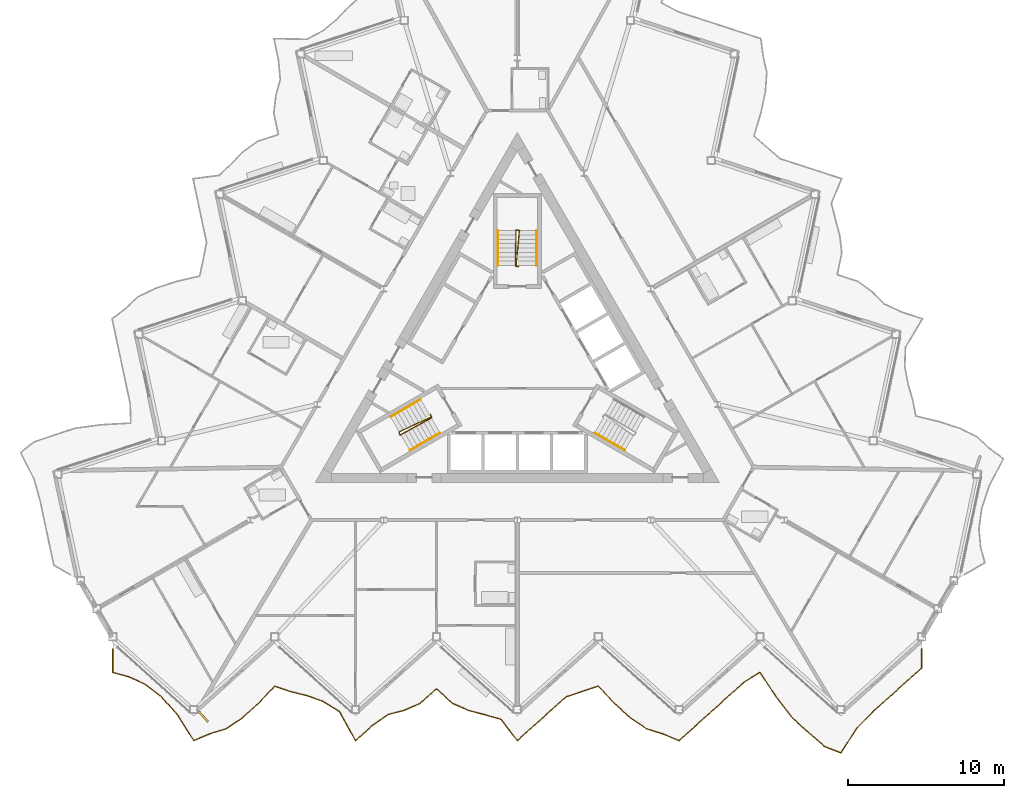
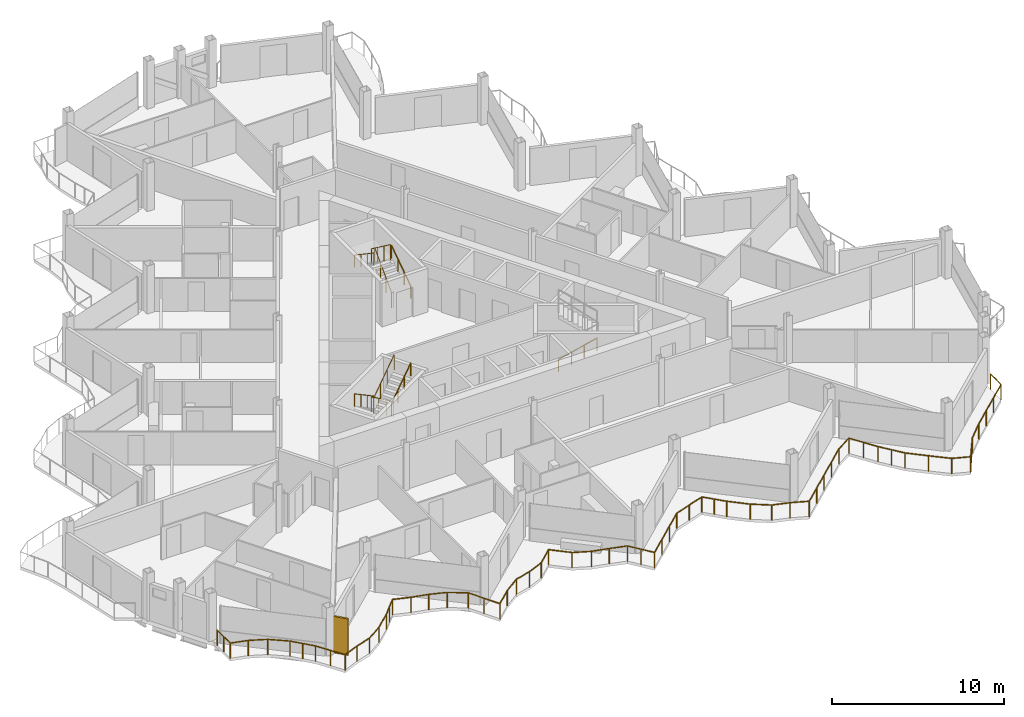
# One storey, part 22 of 26: 8 railings, 1 shading device.
"""IFC4 building model written with IfcOpenShell, lengths in metres."""

from ifc_helpers import new_model, si_unit, direction, frame, origin, origin_2d, place, context, subcontext, project, spatial, rectangle, circle, extrude, material, layer, layer_set, type_object, element, save


model = new_model("IFC4")

# Units and contexts
model_context = context("Model", 3, precision=1e-05, world=origin(), true_north=direction((0.0, 1.0)))
body_context = subcontext(model_context, "Body", "Model", "MODEL_VIEW")
ifc_project = project(units=[si_unit("LENGTHUNIT", "METRE"), si_unit("AREAUNIT", "SQUARE_METRE"), si_unit("VOLUMEUNIT", "CUBIC_METRE"), si_unit("PLANEANGLEUNIT", "RADIAN"), si_unit("MASSUNIT", "GRAM", prefix="KILO")], contexts=[model_context])

# Site, building, storey
site_placement = place(None, origin())
site = spatial("IfcSite", under=ifc_project, at=site_placement, CompositionType="ELEMENT")
building_placement = place(site_placement, origin())
building = spatial("IfcBuilding", under=site, at=building_placement, Name="Cormorant Prow Tower", CompositionType="ELEMENT")
storey_placement = place(building_placement, frame((0.0, 0.0, 381.39990234375)))
storey = spatial("IfcBuildingStorey", under=building, at=storey_placement, Name="L86", CompositionType="ELEMENT", Elevation=381.39990234375)

# Railings
ifc_material_1 = material(Name="Aluminium 6063-T6", Category="aluminium")
railing_type_1 = type_object("IfcRailingType", Name="Balcony guard 1100", PredefinedType="GUARDRAIL", material=ifc_material_1)
railing_1_placement = place(storey_placement, frame((-26.0, -18.189697265625, 0.0)))
element("IfcRailing", 1, at=railing_1_placement, inside=storey, type_object=railing_type_1, Name="Balcony guard S", PredefinedType="GUARDRAIL", context=body_context, shape_type="SweptSolid", body=[
    extrude(circle(Radius=0.02392578125, at=origin_2d()), frame((0.0, 0.0, 1.076171875), z_axis=(0.0, -1.0, 0.0), x_axis=(1.0, 0.0, 0.0)), (0.0, 0.0, 1.0), 1.52001953125),
    extrude(circle(Radius=0.02392578125, at=origin_2d()), frame((0.0, -1.52001953125, 1.076171875), z_axis=(0.964810844269, -0.262944927276, 0.0), x_axis=(0.262944927276, 0.964810844269, 0.0)), (0.0, 0.0, 1.0), 1.077880859375),
    extrude(circle(Radius=0.02392578125, at=origin_2d()), frame((1.0400390625, -1.803466796875, 1.076171875), z_axis=(0.909347595686, -0.41603719812, 0.0), x_axis=(0.41603719812, 0.909347595686, 0.0)), (0.0, 0.0, 1.0), 1.143798828125),
    extrude(circle(Radius=0.02392578125, at=origin_2d()), frame((2.080078125, -2.279296875, 1.076171875), z_axis=(0.791268661421, -0.611468646337, 0.0), x_axis=(0.611468646337, 0.791268661421, 0.0)), (0.0, 0.0, 1.0), 1.314453125),
    extrude(circle(Radius=0.02392578125, at=origin_2d()), frame((3.1201171875, -3.0830078125, 1.076171875), z_axis=(0.6640831276, -0.747658745443, 0.0), x_axis=(0.747658745443, 0.6640831276, 0.0)), (0.0, 0.0, 1.0), 1.565673828125),
    extrude(circle(Radius=0.02392578125, at=origin_2d()), frame((4.159912109375, -4.253662109375, 1.076171875), z_axis=(0.533597069462, -0.845738829345, 0.0), x_axis=(0.845738829345, 0.533597069462, 0.0)), (0.0, 0.0, 1.0), 1.94921875),
    extrude(circle(Radius=0.02392578125, at=origin_2d()), frame((5.199951171875, -5.902099609375, 1.076171875), z_axis=(0.920214237524, 0.391415070045, 0.0), x_axis=(-0.391415070045, 0.920214237524, 0.0)), (0.0, 0.0, 1.0), 1.130126953125),
    extrude(circle(Radius=0.02392578125, at=origin_2d()), frame((6.239990234375, -5.459716796875, 1.076171875), z_axis=(0.95576445461, 0.294133145538, 0.0), x_axis=(-0.294133145538, 0.95576445461, 0.0)), (0.0, 0.0, 1.0), 1.088134765625),
    extrude(circle(Radius=0.02392578125, at=origin_2d()), frame((7.280029296875, -5.1396484375, 1.076171875), z_axis=(0.830788013816, 0.556588965125, 0.0), x_axis=(-0.556588965125, 0.830788013816, 0.0)), (0.0, 0.0, 1.0), 1.251953125),
    extrude(circle(Radius=0.02392578125, at=origin_2d()), frame((8.320068359375, -4.44287109375, 1.076171875), z_axis=(0.743120643554, 0.66915746213, 0.0), x_axis=(-0.66915746213, 0.743120643554, 0.0)), (0.0, 0.0, 1.0), 1.399658203125),
    extrude(circle(Radius=0.02392578125, at=origin_2d()), frame((9.360107421875, -3.50634765625, 1.076171875), z_axis=(0.686746627718, 0.726896876674, 0.0), x_axis=(-0.726896876674, 0.686746627718, 0.0)), (0.0, 0.0, 1.0), 1.51416015625),
    extrude(circle(Radius=0.02392578125, at=origin_2d()), frame((10.39990234375, -2.40576171875, 1.076171875), z_axis=(0.949083556444, -0.315024448078, 0.0), x_axis=(0.315024448078, 0.949083556444, 0.0)), (0.0, 0.0, 1.0), 1.095947265625),
    extrude(circle(Radius=0.02392578125, at=origin_2d()), frame((11.43994140625, -2.7509765625, 1.076171875), z_axis=(0.970463258891, -0.241248965062, 0.0), x_axis=(0.241248965062, 0.970463258891, 0.0)), (0.0, 0.0, 1.0), 1.07177734375),
    extrude(circle(Radius=0.02392578125, at=origin_2d()), frame((12.47998046875, -3.009521484375, 1.076171875), z_axis=(0.941701894654, -0.336448423395, 0.0), x_axis=(0.336448423395, 0.941701894654, 0.0)), (0.0, 0.0, 1.0), 1.1044921875),
    extrude(circle(Radius=0.02392578125, at=origin_2d()), frame((13.52001953125, -3.381103515625, 1.076171875), z_axis=(0.847864099887, -0.530213606127, 0.0), x_axis=(0.530213606127, 0.847864099887, 0.0)), (0.0, 0.0, 1.0), 1.2265625),
    extrude(circle(Radius=0.02392578125, at=origin_2d()), frame((14.56005859375, -4.031494140625, 1.076171875), z_axis=(0.485933457177, -0.873995809599, 0.0), x_axis=(0.873995809599, 0.485933457177, 0.0)), (0.0, 0.0, 1.0), 2.140380859375),
    extrude(circle(Radius=0.02392578125, at=origin_2d()), frame((15.60009765625, -5.902099609375, 1.076171875), z_axis=(0.74304251841, 0.669244212403, 0.0), x_axis=(-0.669244212403, 0.74304251841, 0.0)), (0.0, 0.0, 1.0), 1.3994140625),
    extrude(circle(Radius=0.02392578125, at=origin_2d()), frame((16.639892578125, -4.965576171875, 1.076171875), z_axis=(0.815166142361, 0.579227209607, 0.0), x_axis=(-0.579227209607, 0.815166142361, 0.0)), (0.0, 0.0, 1.0), 1.27587890625),
    extrude(circle(Radius=0.02392578125, at=origin_2d()), frame((17.679931640625, -4.2265625, 1.076171875), z_axis=(0.967800372049, 0.251718970007, 0.0), x_axis=(-0.251718970007, 0.967800372049, 0.0)), (0.0, 0.0, 1.0), 1.07470703125),
    extrude(circle(Radius=0.02392578125, at=origin_2d()), frame((18.719970703125, -3.9560546875, 1.076171875), z_axis=(0.917869764343, 0.396881715005, 0.0), x_axis=(-0.396881715005, 0.917869764343, 0.0)), (0.0, 0.0, 1.0), 1.133056640625),
    extrude(circle(Radius=0.02392578125, at=origin_2d()), frame((19.760009765625, -3.50634765625, 1.076171875), z_axis=(0.743207391022, 0.669061113749, 0.0), x_axis=(-0.669061113749, 0.743207391022, 0.0)), (0.0, 0.0, 1.0), 1.3994140625),
    extrude(circle(Radius=0.02392578125, at=origin_2d()), frame((20.800048828125, -2.570068359375, 1.076171875), z_axis=(0.743207391022, -0.669061113749, 0.0), x_axis=(0.669061113749, 0.743207391022, 0.0)), (0.0, 0.0, 1.0), 1.3994140625),
    extrude(circle(Radius=0.02392578125, at=origin_2d()), frame((21.840087890625, -3.50634765625, 1.076171875), z_axis=(0.914756758926, -0.404005039572, 0.0), x_axis=(0.404005039572, 0.914756758926, 0.0)), (0.0, 0.0, 1.0), 1.13671875),
    extrude(circle(Radius=0.02392578125, at=origin_2d()), frame((22.8798828125, -3.965576171875, 1.076171875), z_axis=(0.967523142139, -0.252782454742, 0.0), x_axis=(0.252782454742, 0.967523142139, 0.0)), (0.0, 0.0, 1.0), 1.074951171875),
    extrude(circle(Radius=0.02392578125, at=origin_2d()), frame((23.919921875, -4.2373046875, 1.076171875), z_axis=(0.961114225103, -0.276151129466, 0.0), x_axis=(0.276151129466, 0.961114225103, 0.0)), (0.0, 0.0, 1.0), 1.08203125),
    extrude(circle(Radius=0.02392578125, at=origin_2d()), frame((24.9599609375, -4.5361328125, 1.076171875), z_axis=(0.605786115931, -0.795627539585, 0.0), x_axis=(0.795627539585, 0.605786115931, 0.0)), (0.0, 0.0, 1.0), 1.716796875),
    extrude(circle(Radius=0.02392578125, at=origin_2d()), frame((26.0, -5.902099609375, 1.076171875), z_axis=(0.743120643554, 0.66915746213, 0.0), x_axis=(-0.66915746213, 0.743120643554, 0.0)), (0.0, 0.0, 1.0), 1.399658203125),
    extrude(circle(Radius=0.02392578125, at=origin_2d()), frame((27.0400390625, -4.965576171875, 1.076171875), z_axis=(0.743207391022, 0.669061113749, 0.0), x_axis=(-0.669061113749, 0.743207391022, 0.0)), (0.0, 0.0, 1.0), 1.3994140625),
    extrude(circle(Radius=0.02392578125, at=origin_2d()), frame((28.080078125, -4.029296875, 1.076171875), z_axis=(0.743120643554, 0.66915746213, 0.0), x_axis=(-0.66915746213, 0.743120643554, 0.0)), (0.0, 0.0, 1.0), 1.399658203125),
    extrude(circle(Radius=0.02392578125, at=origin_2d()), frame((29.1201171875, -3.0927734375, 1.076171875), z_axis=(0.947182716129, 0.320694406353, 0.0), x_axis=(-0.320694406353, 0.947182716129, 0.0)), (0.0, 0.0, 1.0), 1.09765625),
    extrude(circle(Radius=0.02392578125, at=origin_2d()), frame((30.159912109375, -2.74072265625, 1.076171875), z_axis=(0.94981426638, 0.312814416838, 0.0), x_axis=(-0.312814416838, 0.94981426638, 0.0)), (0.0, 0.0, 1.0), 1.094970703125),
    extrude(circle(Radius=0.02392578125, at=origin_2d()), frame((31.199951171875, -2.398193359375, 1.076171875), z_axis=(0.68434179977, -0.729161368346, 0.0), x_axis=(0.729161368346, 0.68434179977, 0.0)), (0.0, 0.0, 1.0), 1.519775390625),
    extrude(circle(Radius=0.02392578125, at=origin_2d()), frame((32.239990234375, -3.50634765625, 1.076171875), z_axis=(0.743120643554, -0.66915746213, 0.0), x_axis=(0.66915746213, 0.743120643554, 0.0)), (0.0, 0.0, 1.0), 1.399658203125),
    extrude(circle(Radius=0.02392578125, at=origin_2d()), frame((33.280029296875, -4.44287109375, 1.076171875), z_axis=(0.827810980461, -0.561007112815, 0.0), x_axis=(0.561007112815, 0.827810980461, 0.0)), (0.0, 0.0, 1.0), 1.25634765625),
    extrude(circle(Radius=0.02392578125, at=origin_2d()), frame((34.320068359375, -5.147705078125, 1.076171875), z_axis=(0.95513195823, -0.296180590803, 0.0), x_axis=(0.296180590803, 0.95513195823, 0.0)), (0.0, 0.0, 1.0), 1.0888671875),
    extrude(circle(Radius=0.02392578125, at=origin_2d()), frame((35.360107421875, -5.47021484375, 1.076171875), z_axis=(0.923506170268, -0.383583567787, 0.0), x_axis=(0.383583567787, 0.923506170268, 0.0)), (0.0, 0.0, 1.0), 1.1259765625),
    extrude(circle(Radius=0.02392578125, at=origin_2d()), frame((36.39990234375, -5.902099609375, 1.076171875), z_axis=(0.743120643554, 0.66915746213, 0.0), x_axis=(-0.66915746213, 0.743120643554, 0.0)), (0.0, 0.0, 1.0), 1.399658203125),
    extrude(circle(Radius=0.02392578125, at=origin_2d()), frame((37.43994140625, -4.965576171875, 1.076171875), z_axis=(0.743207391022, 0.669061113749, 0.0), x_axis=(-0.669061113749, 0.743207391022, 0.0)), (0.0, 0.0, 1.0), 1.3994140625),
    extrude(circle(Radius=0.02392578125, at=origin_2d()), frame((38.47998046875, -4.029296875, 1.076171875), z_axis=(0.743120643554, 0.66915746213, 0.0), x_axis=(-0.66915746213, 0.743120643554, 0.0)), (0.0, 0.0, 1.0), 1.399658203125),
    extrude(circle(Radius=0.02392578125, at=origin_2d()), frame((39.52001953125, -3.0927734375, 1.076171875), z_axis=(0.743207391022, 0.669061113749, 0.0), x_axis=(-0.669061113749, 0.743207391022, 0.0)), (0.0, 0.0, 1.0), 1.3994140625),
    extrude(circle(Radius=0.02392578125, at=origin_2d()), frame((40.56005859375, -2.156494140625, 1.076171875), z_axis=(0.849026802897, 0.528349778047, 0.0), x_axis=(-0.528349778047, 0.849026802897, 0.0)), (0.0, 0.0, 1.0), 1.22509765625),
    extrude(circle(Radius=0.02392578125, at=origin_2d()), frame((41.60009765625, -1.50927734375, 1.076171875), z_axis=(0.547117832876, -0.837055599676, 0.0), x_axis=(0.837055599676, 0.547117832876, 0.0)), (0.0, 0.0, 1.0), 1.900390625),
    extrude(circle(Radius=0.02392578125, at=origin_2d()), frame((42.639892578125, -3.10009765625, 1.076171875), z_axis=(0.612347129272, -0.790589016666, 0.0), x_axis=(0.790589016666, 0.612347129272, 0.0)), (0.0, 0.0, 1.0), 1.698486328125),
    extrude(circle(Radius=0.02392578125, at=origin_2d()), frame((43.679931640625, -4.44287109375, 1.076171875), z_axis=(0.743207391022, -0.669061113749, 0.0), x_axis=(0.669061113749, 0.743207391022, 0.0)), (0.0, 0.0, 1.0), 1.3994140625),
    extrude(circle(Radius=0.02392578125, at=origin_2d()), frame((44.719970703125, -5.379150390625, 1.076171875), z_axis=(0.754548321013, -0.656244490458, 0.0), x_axis=(0.656244490458, 0.754548321013, 0.0)), (0.0, 0.0, 1.0), 1.37841796875),
    extrude(circle(Radius=0.02392578125, at=origin_2d()), frame((45.760009765625, -6.28369140625, 1.076171875), z_axis=(0.931016886967, -0.364976103576, 0.0), x_axis=(0.364976103576, 0.931016886967, 0.0)), (0.0, 0.0, 1.0), 1.1171875),
    extrude(circle(Radius=0.02392578125, at=origin_2d()), frame((46.800048828125, -6.69140625, 1.076171875), z_axis=(0.542823251772, 0.839846960664, 0.0), x_axis=(-0.839846960664, 0.542823251772, 0.0)), (0.0, 0.0, 1.0), 1.916015625),
    extrude(circle(Radius=0.02392578125, at=origin_2d()), frame((47.840087890625, -5.082275390625, 1.076171875), z_axis=(0.702638363569, 0.711547138313, 0.0), x_axis=(-0.711547138313, 0.702638363569, 0.0)), (0.0, 0.0, 1.0), 1.479736328125),
    extrude(circle(Radius=0.02392578125, at=origin_2d()), frame((48.8798828125, -4.029296875, 1.076171875), z_axis=(0.743120643554, 0.66915746213, 0.0), x_axis=(-0.66915746213, 0.743120643554, 0.0)), (0.0, 0.0, 1.0), 1.399658203125),
    extrude(circle(Radius=0.02392578125, at=origin_2d()), frame((49.919921875, -3.0927734375, 1.076171875), z_axis=(0.743207391022, 0.669061113749, 0.0), x_axis=(-0.669061113749, 0.743207391022, 0.0)), (0.0, 0.0, 1.0), 1.3994140625),
    extrude(circle(Radius=0.02392578125, at=origin_2d()), frame((50.9599609375, -2.156494140625, 1.076171875), z_axis=(0.743120643554, 0.66915746213, 0.0), x_axis=(-0.66915746213, 0.743120643554, 0.0)), (0.0, 0.0, 1.0), 1.399658203125),
    extrude(circle(Radius=0.02392578125, at=origin_2d()), frame((52.0, -1.219970703125, 1.076171875), z_axis=(0.0, 1.0, 0.0), x_axis=(-1.0, 0.0, 0.0)), (0.0, 0.0, 1.0), 1.219970703125),
    extrude(circle(Radius=0.02099609375, at=origin_2d()), origin(), (0.0, 0.0, 1.0), 1.052001953125),
    extrude(circle(Radius=0.02099609375, at=origin_2d()), frame((0.0, -0.760009765625, 0.0)), (0.0, 0.0, 1.0), 1.052001953125),
    extrude(circle(Radius=0.02099609375, at=origin_2d()), frame((0.0, -1.52001953125, 0.0)), (0.0, 0.0, 1.0), 1.052001953125),
    extrude(circle(Radius=0.02099609375, at=origin_2d()), frame((1.0400390625, -1.803466796875, 0.0)), (0.0, 0.0, 1.0), 1.052001953125),
    extrude(circle(Radius=0.02099609375, at=origin_2d()), frame((2.080078125, -2.279296875, 0.0)), (0.0, 0.0, 1.0), 1.052001953125),
    extrude(circle(Radius=0.02099609375, at=origin_2d()), frame((3.1201171875, -3.0830078125, 0.0)), (0.0, 0.0, 1.0), 1.052001953125),
    extrude(circle(Radius=0.02099609375, at=origin_2d()), frame((3.64013671875, -3.66845703125, 0.0)), (0.0, 0.0, 1.0), 1.052001953125),
    extrude(circle(Radius=0.02099609375, at=origin_2d()), frame((4.159912109375, -4.253662109375, 0.0)), (0.0, 0.0, 1.0), 1.052001953125),
    extrude(circle(Radius=0.02099609375, at=origin_2d()), frame((4.679931640625, -5.077880859375, 0.0)), (0.0, 0.0, 1.0), 1.052001953125),
    extrude(circle(Radius=0.02099609375, at=origin_2d()), frame((5.199951171875, -5.902099609375, 0.0)), (0.0, 0.0, 1.0), 1.052001953125),
    extrude(circle(Radius=0.02099609375, at=origin_2d()), frame((6.239990234375, -5.459716796875, 0.0)), (0.0, 0.0, 1.0), 1.052001953125),
    extrude(circle(Radius=0.02099609375, at=origin_2d()), frame((7.280029296875, -5.1396484375, 0.0)), (0.0, 0.0, 1.0), 1.052001953125),
    extrude(circle(Radius=0.02099609375, at=origin_2d()), frame((8.320068359375, -4.44287109375, 0.0)), (0.0, 0.0, 1.0), 1.052001953125),
    extrude(circle(Radius=0.02099609375, at=origin_2d()), frame((9.360107421875, -3.50634765625, 0.0)), (0.0, 0.0, 1.0), 1.052001953125),
    extrude(circle(Radius=0.02099609375, at=origin_2d()), frame((9.8798828125, -2.9560546875, 0.0)), (0.0, 0.0, 1.0), 1.052001953125),
    extrude(circle(Radius=0.02099609375, at=origin_2d()), frame((10.39990234375, -2.40576171875, 0.0)), (0.0, 0.0, 1.0), 1.052001953125),
    extrude(circle(Radius=0.02099609375, at=origin_2d()), frame((11.43994140625, -2.7509765625, 0.0)), (0.0, 0.0, 1.0), 1.052001953125),
    extrude(circle(Radius=0.02099609375, at=origin_2d()), frame((12.47998046875, -3.009521484375, 0.0)), (0.0, 0.0, 1.0), 1.052001953125),
    extrude(circle(Radius=0.02099609375, at=origin_2d()), frame((13.52001953125, -3.381103515625, 0.0)), (0.0, 0.0, 1.0), 1.052001953125),
    extrude(circle(Radius=0.02099609375, at=origin_2d()), frame((14.56005859375, -4.031494140625, 0.0)), (0.0, 0.0, 1.0), 1.052001953125),
    extrude(circle(Radius=0.02099609375, at=origin_2d()), frame((15.080078125, -4.966796875, 0.0)), (0.0, 0.0, 1.0), 1.052001953125),
    extrude(circle(Radius=0.02099609375, at=origin_2d()), frame((15.60009765625, -5.902099609375, 0.0)), (0.0, 0.0, 1.0), 1.052001953125),
    extrude(circle(Radius=0.02099609375, at=origin_2d()), frame((16.639892578125, -4.965576171875, 0.0)), (0.0, 0.0, 1.0), 1.052001953125),
    extrude(circle(Radius=0.02099609375, at=origin_2d()), frame((17.679931640625, -4.2265625, 0.0)), (0.0, 0.0, 1.0), 1.052001953125),
    extrude(circle(Radius=0.02099609375, at=origin_2d()), frame((18.719970703125, -3.9560546875, 0.0)), (0.0, 0.0, 1.0), 1.052001953125),
    extrude(circle(Radius=0.02099609375, at=origin_2d()), frame((19.760009765625, -3.50634765625, 0.0)), (0.0, 0.0, 1.0), 1.052001953125),
    extrude(circle(Radius=0.02099609375, at=origin_2d()), frame((20.800048828125, -2.570068359375, 0.0)), (0.0, 0.0, 1.0), 1.052001953125),
    extrude(circle(Radius=0.02099609375, at=origin_2d()), frame((21.840087890625, -3.50634765625, 0.0)), (0.0, 0.0, 1.0), 1.052001953125),
    extrude(circle(Radius=0.02099609375, at=origin_2d()), frame((22.8798828125, -3.965576171875, 0.0)), (0.0, 0.0, 1.0), 1.052001953125),
    extrude(circle(Radius=0.02099609375, at=origin_2d()), frame((23.919921875, -4.2373046875, 0.0)), (0.0, 0.0, 1.0), 1.052001953125),
    extrude(circle(Radius=0.02099609375, at=origin_2d()), frame((24.9599609375, -4.5361328125, 0.0)), (0.0, 0.0, 1.0), 1.052001953125),
    extrude(circle(Radius=0.02099609375, at=origin_2d()), frame((25.47998046875, -5.21923828125, 0.0)), (0.0, 0.0, 1.0), 1.052001953125),
    extrude(circle(Radius=0.02099609375, at=origin_2d()), frame((26.0, -5.902099609375, 0.0)), (0.0, 0.0, 1.0), 1.052001953125),
    extrude(circle(Radius=0.02099609375, at=origin_2d()), frame((27.0400390625, -4.965576171875, 0.0)), (0.0, 0.0, 1.0), 1.052001953125),
    extrude(circle(Radius=0.02099609375, at=origin_2d()), frame((28.080078125, -4.029296875, 0.0)), (0.0, 0.0, 1.0), 1.052001953125),
    extrude(circle(Radius=0.02099609375, at=origin_2d()), frame((29.1201171875, -3.0927734375, 0.0)), (0.0, 0.0, 1.0), 1.052001953125),
    extrude(circle(Radius=0.02099609375, at=origin_2d()), frame((30.159912109375, -2.74072265625, 0.0)), (0.0, 0.0, 1.0), 1.052001953125),
    extrude(circle(Radius=0.02099609375, at=origin_2d()), frame((31.199951171875, -2.398193359375, 0.0)), (0.0, 0.0, 1.0), 1.052001953125),
    extrude(circle(Radius=0.02099609375, at=origin_2d()), frame((31.719970703125, -2.9521484375, 0.0)), (0.0, 0.0, 1.0), 1.052001953125),
    extrude(circle(Radius=0.02099609375, at=origin_2d()), frame((32.239990234375, -3.50634765625, 0.0)), (0.0, 0.0, 1.0), 1.052001953125),
    extrude(circle(Radius=0.02099609375, at=origin_2d()), frame((33.280029296875, -4.44287109375, 0.0)), (0.0, 0.0, 1.0), 1.052001953125),
    extrude(circle(Radius=0.02099609375, at=origin_2d()), frame((34.320068359375, -5.147705078125, 0.0)), (0.0, 0.0, 1.0), 1.052001953125),
    extrude(circle(Radius=0.02099609375, at=origin_2d()), frame((35.360107421875, -5.47021484375, 0.0)), (0.0, 0.0, 1.0), 1.052001953125),
    extrude(circle(Radius=0.02099609375, at=origin_2d()), frame((36.39990234375, -5.902099609375, 0.0)), (0.0, 0.0, 1.0), 1.052001953125),
    extrude(circle(Radius=0.02099609375, at=origin_2d()), frame((37.43994140625, -4.965576171875, 0.0)), (0.0, 0.0, 1.0), 1.052001953125),
    extrude(circle(Radius=0.02099609375, at=origin_2d()), frame((38.47998046875, -4.029296875, 0.0)), (0.0, 0.0, 1.0), 1.052001953125),
    extrude(circle(Radius=0.02099609375, at=origin_2d()), frame((39.52001953125, -3.0927734375, 0.0)), (0.0, 0.0, 1.0), 1.052001953125),
    extrude(circle(Radius=0.02099609375, at=origin_2d()), frame((40.56005859375, -2.156494140625, 0.0)), (0.0, 0.0, 1.0), 1.052001953125),
    extrude(circle(Radius=0.02099609375, at=origin_2d()), frame((41.60009765625, -1.50927734375, 0.0)), (0.0, 0.0, 1.0), 1.052001953125),
    extrude(circle(Radius=0.02099609375, at=origin_2d()), frame((42.1201171875, -2.3046875, 0.0)), (0.0, 0.0, 1.0), 1.052001953125),
    extrude(circle(Radius=0.02099609375, at=origin_2d()), frame((42.639892578125, -3.10009765625, 0.0)), (0.0, 0.0, 1.0), 1.052001953125),
    extrude(circle(Radius=0.02099609375, at=origin_2d()), frame((43.159912109375, -3.771484375, 0.0)), (0.0, 0.0, 1.0), 1.052001953125),
    extrude(circle(Radius=0.02099609375, at=origin_2d()), frame((43.679931640625, -4.44287109375, 0.0)), (0.0, 0.0, 1.0), 1.052001953125),
    extrude(circle(Radius=0.02099609375, at=origin_2d()), frame((44.719970703125, -5.379150390625, 0.0)), (0.0, 0.0, 1.0), 1.052001953125),
    extrude(circle(Radius=0.02099609375, at=origin_2d()), frame((45.760009765625, -6.28369140625, 0.0)), (0.0, 0.0, 1.0), 1.052001953125),
    extrude(circle(Radius=0.02099609375, at=origin_2d()), frame((46.800048828125, -6.69140625, 0.0)), (0.0, 0.0, 1.0), 1.052001953125),
    extrude(circle(Radius=0.02099609375, at=origin_2d()), frame((47.320068359375, -5.88671875, 0.0)), (0.0, 0.0, 1.0), 1.052001953125),
    extrude(circle(Radius=0.02099609375, at=origin_2d()), frame((47.840087890625, -5.082275390625, 0.0)), (0.0, 0.0, 1.0), 1.052001953125),
    extrude(circle(Radius=0.02099609375, at=origin_2d()), frame((48.8798828125, -4.029296875, 0.0)), (0.0, 0.0, 1.0), 1.052001953125),
    extrude(circle(Radius=0.02099609375, at=origin_2d()), frame((49.919921875, -3.0927734375, 0.0)), (0.0, 0.0, 1.0), 1.052001953125),
    extrude(circle(Radius=0.02099609375, at=origin_2d()), frame((50.9599609375, -2.156494140625, 0.0)), (0.0, 0.0, 1.0), 1.052001953125),
    extrude(circle(Radius=0.02099609375, at=origin_2d()), frame((52.0, -1.219970703125, 0.0)), (0.0, 0.0, 1.0), 1.052001953125),
    extrude(circle(Radius=0.02099609375, at=origin_2d()), frame((52.0, 0.0, 0.0)), (0.0, 0.0, 1.0), 1.052001953125),
])
ifc_material_2 = material(Name="Stainless steel", Category="steel")
railing_type_2 = type_object("IfcRailingType", Name="Stair guard 1100", PredefinedType="GUARDRAIL", material=ifc_material_2)
railing_2_placement = place(storey_placement, frame((-5.585205078125, -3.137939453125, 0.0)))
element("IfcRailing", 2, at=railing_2_placement, inside=storey, type_object=railing_type_2, Name="L86 ST1 stair guard 1", PredefinedType="GUARDRAIL", context=body_context, shape_type="SweptSolid", body=[
    extrude(circle(Radius=0.02392578125, at=origin_2d()), frame((0.0, 0.0, 1.076171875), z_axis=(0.501036270542, -0.865426285481, 0.0), x_axis=(0.865426285481, 0.501036270542, 0.0)), (0.0, 0.0, 1.0), 0.150146484375),
    extrude(circle(Radius=0.02392578125, at=origin_2d()), frame((0.0751953125, -0.1298828125, 1.076171875), z_axis=(-0.728604041492, -0.3399241403, 0.594632432316), x_axis=(0.422792438952, -0.906226546491, 0.0)), (0.0, 0.0, 1.0), 2.859130859375),
    extrude(circle(Radius=0.02392578125, at=origin_2d()), frame((-2.008056640625, -1.101806640625, 2.7763671875), z_axis=(0.275034262293, -0.961434425515, 0.0), x_axis=(0.961434425515, 0.275034262293, 0.0)), (0.0, 0.0, 1.0), 0.2060546875),
    extrude(circle(Radius=0.02392578125, at=origin_2d()), frame((-1.951416015625, -1.2998046875, 2.7763671875), z_axis=(0.704058451865, 0.386179398835, 0.595959032378), x_axis=(-0.480911908544, 0.87676891837, 0.0)), (0.0, 0.0, 1.0), 2.8525390625),
    extrude(circle(Radius=0.02099609375, at=origin_2d()), origin(), (0.0, 0.0, 1.0), 1.052001953125),
    extrude(circle(Radius=0.02099609375, at=origin_2d()), frame((0.0751953125, -0.1298828125, 0.0)), (0.0, 0.0, 1.0), 1.052001953125),
    extrude(circle(Radius=0.02099609375, at=origin_2d()), frame((-0.619140625, -0.453857421875, 0.566650390625)), (0.0, 0.0, 1.0), 1.052001953125),
    extrude(circle(Radius=0.02099609375, at=origin_2d()), frame((-1.313720703125, -0.77783203125, 1.133544921875)), (0.0, 0.0, 1.0), 1.052001953125),
    extrude(circle(Radius=0.02099609375, at=origin_2d()), frame((-2.008056640625, -1.101806640625, 1.7001953125)), (0.0, 0.0, 1.0), 1.052001953125),
    extrude(circle(Radius=0.02099609375, at=origin_2d()), frame((-1.951416015625, -1.2998046875, 1.7001953125)), (0.0, 0.0, 1.0), 1.052001953125),
    extrude(circle(Radius=0.02099609375, at=origin_2d()), frame((-1.281982421875, -0.9326171875, 2.266845703125)), (0.0, 0.0, 1.0), 1.052001953125),
    extrude(circle(Radius=0.02099609375, at=origin_2d()), frame((-0.612548828125, -0.5654296875, 2.83349609375)), (0.0, 0.0, 1.0), 1.052001953125),
    extrude(circle(Radius=0.02099609375, at=origin_2d()), frame((0.056884765625, -0.1982421875, 3.400146484375)), (0.0, 0.0, 1.0), 1.052001953125),
])
railing_3_placement = place(storey_placement, frame((0.074951171875, 6.40576171875, 0.0)))
element("IfcRailing", 3, at=railing_3_placement, inside=storey, type_object=railing_type_2, Name="L86 ST3 stair guard 1", PredefinedType="GUARDRAIL", context=body_context, shape_type="SweptSolid", body=[
    extrude(circle(Radius=0.02392578125, at=origin_2d()), frame((0.0, 0.0, 1.076171875), z_axis=(-1.0, 0.0, 0.0), x_axis=(0.0, -1.0, 0.0)), (0.0, 0.0, 1.0), 0.14990234375),
    extrude(circle(Radius=0.02392578125, at=origin_2d()), frame((-0.14990234375, 0.0, 1.076171875), z_axis=(0.069932991402, 0.800941952812, 0.594643897589), x_axis=(-0.996209839609, 0.086982500921, 0.0)), (0.0, 0.0, 1.0), 2.859130859375),
    extrude(circle(Radius=0.02392578125, at=origin_2d()), frame((0.050048828125, 2.2900390625, 2.7763671875), z_axis=(-0.970072785993, 0.242814311512, 0.0), x_axis=(-0.242814311512, -0.970072785993, 0.0)), (0.0, 0.0, 1.0), 0.2060546875),
    extrude(circle(Radius=0.02392578125, at=origin_2d()), frame((-0.14990234375, 2.340087890625, 2.7763671875), z_axis=(-0.017545750742, -0.80282508275, 0.595956402045), x_axis=(0.999761264773, -0.0218497931, 0.0)), (0.0, 0.0, 1.0), 2.8525390625),
    extrude(circle(Radius=0.02099609375, at=origin_2d()), origin(), (0.0, 0.0, 1.0), 1.052001953125),
    extrude(circle(Radius=0.02099609375, at=origin_2d()), frame((-0.14990234375, 0.0, 0.0)), (0.0, 0.0, 1.0), 1.052001953125),
    extrude(circle(Radius=0.02099609375, at=origin_2d()), frame((-0.083251953125, 0.763427734375, 0.566650390625)), (0.0, 0.0, 1.0), 1.052001953125),
    extrude(circle(Radius=0.02099609375, at=origin_2d()), frame((-0.0166015625, 1.526611328125, 1.133544921875)), (0.0, 0.0, 1.0), 1.052001953125),
    extrude(circle(Radius=0.02099609375, at=origin_2d()), frame((0.050048828125, 2.2900390625, 1.7001953125)), (0.0, 0.0, 1.0), 1.052001953125),
    extrude(circle(Radius=0.02099609375, at=origin_2d()), frame((-0.14990234375, 2.340087890625, 1.7001953125)), (0.0, 0.0, 1.0), 1.052001953125),
    extrude(circle(Radius=0.02099609375, at=origin_2d()), frame((-0.16650390625, 1.57666015625, 2.266845703125)), (0.0, 0.0, 1.0), 1.052001953125),
    extrude(circle(Radius=0.02099609375, at=origin_2d()), frame((-0.183349609375, 0.8134765625, 2.83349609375)), (0.0, 0.0, 1.0), 1.052001953125),
    extrude(circle(Radius=0.02099609375, at=origin_2d()), frame((-0.199951171875, 0.050048828125, 3.400146484375)), (0.0, 0.0, 1.0), 1.052001953125),
])
ifc_material_3 = material(Name="Stainless steel", Category="steel")
railing_type_3 = type_object("IfcRailingType", Name="Stair handrail 900", PredefinedType="HANDRAIL", material=ifc_material_3)
railing_4_placement = place(storey_placement, frame((-6.212890625, -2.150634765625, 0.18896484375)))
element("IfcRailing", 4, at=railing_4_placement, inside=storey, type_object=railing_type_3, Name="L86 ST1 stair handrail 1", PredefinedType="HANDRAIL", context=body_context, shape_type="SweptSolid", body=[
    extrude(circle(Radius=0.02392578125, at=origin_2d()), frame((0.0, 0.0, 0.8759765625), z_axis=(-0.717940317343, -0.414446543626, 0.55928147047), x_axis=(0.49994888933, -0.866054910533, 0.0)), (0.0, 0.0, 1.0), 2.7021484375),
    extrude(circle(Radius=0.02099609375, at=origin_2d()), origin(), (0.0, 0.0, 1.0), 0.851806640625),
    extrude(circle(Radius=0.02099609375, at=origin_2d()), frame((-0.646728515625, -0.373291015625, 0.503662109375)), (0.0, 0.0, 1.0), 0.851806640625),
    extrude(circle(Radius=0.02099609375, at=origin_2d()), frame((-1.293212890625, -0.74658203125, 1.007568359375)), (0.0, 0.0, 1.0), 0.851806640625),
    extrude(circle(Radius=0.02099609375, at=origin_2d()), frame((-1.93994140625, -1.119873046875, 1.51123046875)), (0.0, 0.0, 1.0), 0.851806640625),
])
railing_5_placement = place(storey_placement, frame((-6.90869140625, -5.42529296875, 1.888916015625)))
element("IfcRailing", 5, at=railing_5_placement, inside=storey, type_object=railing_type_3, Name="L86 ST1 stair handrail 2", PredefinedType="HANDRAIL", context=body_context, shape_type="SweptSolid", body=[
    extrude(circle(Radius=0.02392578125, at=origin_2d()), frame((0.0, 0.0, 0.8759765625), z_axis=(0.717869644322, 0.414548260308, 0.559296802813), x_axis=(-0.500077830873, 0.865980463445, 0.0)), (0.0, 0.0, 1.0), 2.701904296875),
    extrude(circle(Radius=0.02099609375, at=origin_2d()), origin(), (0.0, 0.0, 1.0), 0.851806640625),
    extrude(circle(Radius=0.02099609375, at=origin_2d()), frame((0.646484375, 0.373291015625, 0.503662109375)), (0.0, 0.0, 1.0), 0.851806640625),
    extrude(circle(Radius=0.02099609375, at=origin_2d()), frame((1.293212890625, 0.746826171875, 1.007568359375)), (0.0, 0.0, 1.0), 0.851806640625),
    extrude(circle(Radius=0.02099609375, at=origin_2d()), frame((1.939697265625, 1.1201171875, 1.51123046875)), (0.0, 0.0, 1.0), 0.851806640625),
])
railing_6_placement = place(storey_placement, frame((4.968994140625, -4.30517578125, 0.18896484375)))
element("IfcRailing", 6, at=railing_6_placement, inside=storey, type_object=railing_type_3, Name="L86 ST2 stair handrail 1", PredefinedType="HANDRAIL", context=body_context, shape_type="SweptSolid", body=[
    extrude(circle(Radius=0.02392578125, at=origin_2d()), frame((0.0, 0.0, 0.8759765625), z_axis=(0.717869644322, -0.414548260308, 0.559296802813), x_axis=(0.500077830873, 0.865980463445, 0.0)), (0.0, 0.0, 1.0), 2.701904296875),
    extrude(circle(Radius=0.02099609375, at=origin_2d()), origin(), (0.0, 0.0, 1.0), 0.851806640625),
    extrude(circle(Radius=0.02099609375, at=origin_2d()), frame((0.646484375, -0.373291015625, 0.503662109375)), (0.0, 0.0, 1.0), 0.851806640625),
    extrude(circle(Radius=0.02099609375, at=origin_2d()), frame((1.293212890625, -0.746826171875, 1.007568359375)), (0.0, 0.0, 1.0), 0.851806640625),
    extrude(circle(Radius=0.02099609375, at=origin_2d()), frame((1.939697265625, -1.1201171875, 1.51123046875)), (0.0, 0.0, 1.0), 0.851806640625),
])
railing_7_placement = place(storey_placement, frame((1.243896484375, 6.455810546875, 0.18896484375)))
element("IfcRailing", 7, at=railing_7_placement, inside=storey, type_object=railing_type_3, Name="L86 ST3 stair handrail 1", PredefinedType="HANDRAIL", context=body_context, shape_type="SweptSolid", body=[
    extrude(circle(Radius=0.02392578125, at=origin_2d()), frame((0.0, 0.0, 0.8759765625), z_axis=(0.0, 0.828979582247, 0.559278868023), x_axis=(-1.0, 0.0, 0.0)), (0.0, 0.0, 1.0), 2.7021484375),
    extrude(circle(Radius=0.02099609375, at=origin_2d()), origin(), (0.0, 0.0, 1.0), 0.851806640625),
    extrude(circle(Radius=0.02099609375, at=origin_2d()), frame((0.0, 0.74658203125, 0.503662109375)), (0.0, 0.0, 1.0), 0.851806640625),
    extrude(circle(Radius=0.02099609375, at=origin_2d()), frame((0.0, 1.493408203125, 1.007568359375)), (0.0, 0.0, 1.0), 0.851806640625),
    extrude(circle(Radius=0.02099609375, at=origin_2d()), frame((0.0, 2.239990234375, 1.51123046875)), (0.0, 0.0, 1.0), 0.851806640625),
])
railing_8_placement = place(storey_placement, frame((-1.243896484375, 8.69580078125, 1.888916015625)))
element("IfcRailing", 8, at=railing_8_placement, inside=storey, type_object=railing_type_3, Name="L86 ST3 stair handrail 2", PredefinedType="HANDRAIL", context=body_context, shape_type="SweptSolid", body=[
    extrude(circle(Radius=0.02392578125, at=origin_2d()), frame((0.0, 0.0, 0.8759765625), z_axis=(0.0, -0.828979582247, 0.559278868023), x_axis=(1.0, 0.0, 0.0)), (0.0, 0.0, 1.0), 2.7021484375),
    extrude(circle(Radius=0.02099609375, at=origin_2d()), origin(), (0.0, 0.0, 1.0), 0.851806640625),
    extrude(circle(Radius=0.02099609375, at=origin_2d()), frame((0.0, -0.74658203125, 0.503662109375)), (0.0, 0.0, 1.0), 0.851806640625),
    extrude(circle(Radius=0.02099609375, at=origin_2d()), frame((0.0, -1.493408203125, 1.007568359375)), (0.0, 0.0, 1.0), 0.851806640625),
    extrude(circle(Radius=0.02099609375, at=origin_2d()), frame((0.0, -2.239990234375, 1.51123046875)), (0.0, 0.0, 1.0), 0.851806640625),
])

# Shading device
ifc_material_4 = material(Name="Terracotta", Category="masonry")
ifc_layer = layer(ifc_material_4, 0.1201171875)
ifc_layer_set = layer_set([ifc_layer], Name="Terracotta")
shading_device_type = type_object("IfcShadingDeviceType", Name="Terracotta baguette fin 120x900x2600", PredefinedType="USERDEFINED", material=ifc_layer_set)
shading_device_placement = place(storey_placement, frame((-20.182373046875, -22.541015625, 0.0), z_axis=(0.0, 0.0, 1.0), x_axis=(0.743144827638, 0.669130603959, 0.0)))
element("IfcShadingDevice", 9, at=shading_device_placement, inside=storey, type_object=shading_device_type, Name="Baguette fin S01", ObjectType="BAGUETTE", PredefinedType="USERDEFINED", context=body_context, shape_type="SweptSolid", body=[
    extrude(rectangle(XDim=0.1201171875, YDim=0.89990234375, at=origin_2d()), origin(), (0.0, 0.0, 1.0), 2.60009765625),
])

save(model, "model.ifc")
